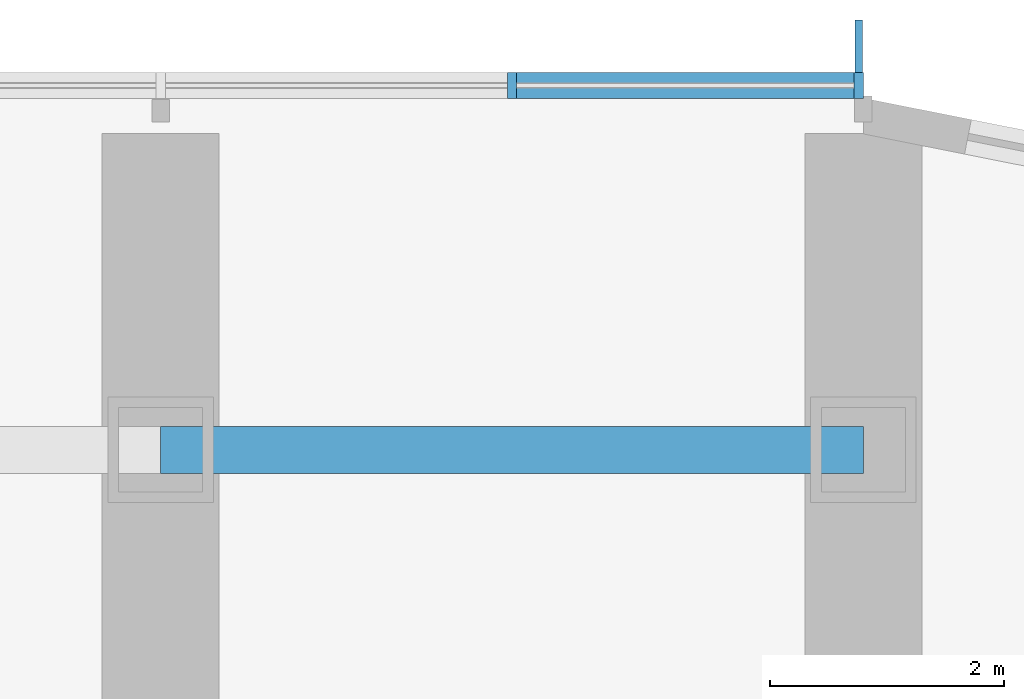
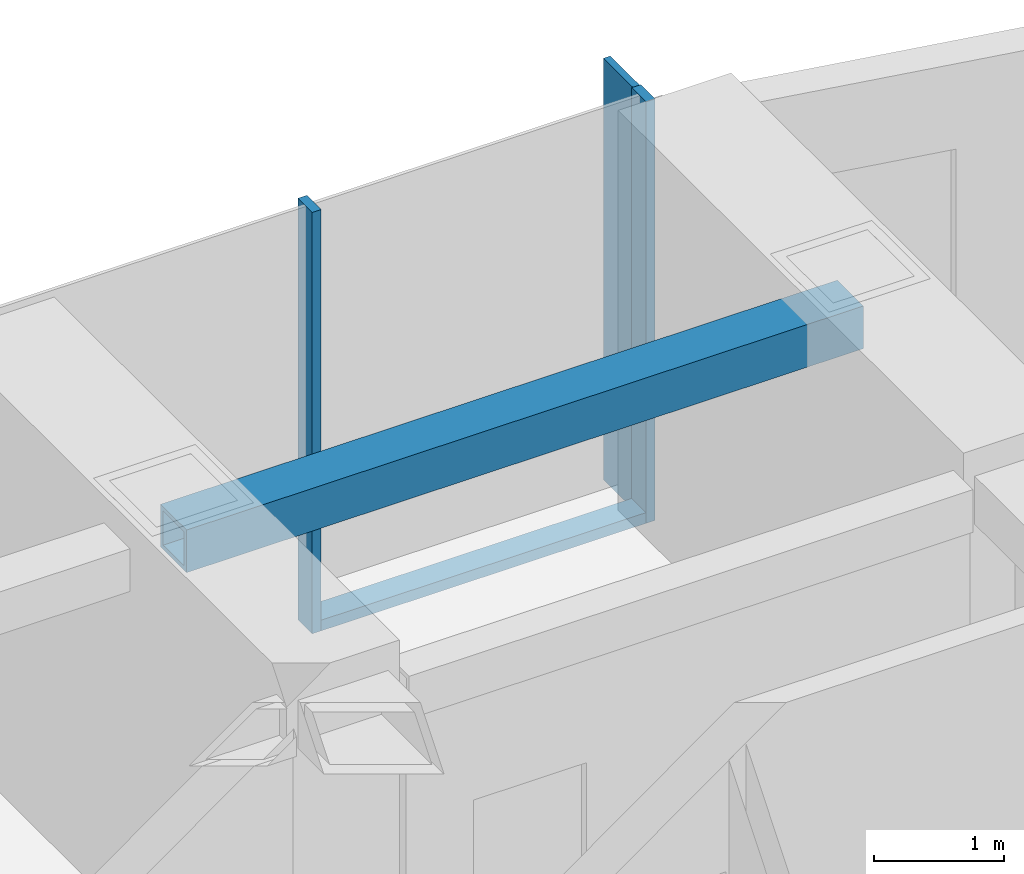
# One storey, part 9 of 26: 4 members, 1 beam, 1 element without a shape of its own.
"""IFC4 building model written with IfcOpenShell, lengths in metres."""

from ifc_helpers import new_model, si_unit, direction, frame, origin, origin_2d, place, context, subcontext, project, spatial, rectangle, hollow_rectangle, extrude, material, material_profile, profile_set, type_object, element, aggregate, save


model = new_model("IFC4")

# Units and contexts
model_context = context("Model", 3, precision=1e-05, world=origin(), true_north=direction((0.0, 1.0)))
body_context = subcontext(model_context, "Body", "Model", "MODEL_VIEW")
ifc_project = project(units=[si_unit("LENGTHUNIT", "METRE"), si_unit("AREAUNIT", "SQUARE_METRE"), si_unit("VOLUMEUNIT", "CUBIC_METRE"), si_unit("PLANEANGLEUNIT", "RADIAN"), si_unit("MASSUNIT", "GRAM", prefix="KILO")], contexts=[model_context])

# Site, building, storey
site_placement = place(None, origin())
site = spatial("IfcSite", under=ifc_project, at=site_placement, CompositionType="ELEMENT")
building_placement = place(site_placement, origin())
building = spatial("IfcBuilding", under=site, at=building_placement, Name="Orbita Commons", CompositionType="ELEMENT")
storey_placement = place(building_placement, frame((0.0, 0.0, 53.949951171875)))
storey = spatial("IfcBuildingStorey", under=building, at=storey_placement, Name="L13", CompositionType="ELEMENT", Elevation=53.949951171875)

# Curtain wall, members
ifc_material_1 = material(Name="Anodised aluminium frame, pale silver", Category="aluminium")
curtain_wall_type = type_object("IfcCurtainWallType", Name="Unitised curtain wall CW-T, vision and spandrel", PredefinedType="NOTDEFINED", material=ifc_material_1)
curtain_wall_placement = place(storey_placement, origin())
curtain_wall = element("IfcCurtainWall", 1, at=curtain_wall_placement, inside=storey, type_object=curtain_wall_type, Name="Curtain wall north L13", PredefinedType="NOTDEFINED")
ifc_material_2 = material(Name="Anodised aluminium, pale silver", Category="aluminium")
ifc_material_profile_1 = material_profile(ifc_material_2, rectangle(XDim=0.080078125, YDim=0.219970703125, at=origin_2d()), Name="AL 80x220")
ifc_profile_set_1 = profile_set([ifc_material_profile_1], Name="Anodised aluminium, pale silver")
member_type_1 = type_object("IfcMemberType", Name="Curtain wall mullion 80x220", PredefinedType="MULLION", material=ifc_profile_set_1)
member_1_placement = place(storey_placement, frame((71.9599609375, 56.7099609375, -0.449951171875), z_axis=(0.0, 0.0, 1.0), x_axis=(-1.0, 0.0, 0.0)))
member_1 = element("IfcMember", 2, at=member_1_placement, type_object=member_type_1, Name="Mullion 1 CW-L13-N", PredefinedType="MULLION", context=body_context, shape_type="SweptSolid", body=[
    extrude(rectangle(XDim=0.080078125, YDim=0.219970703125, at=origin_2d()), origin(), (0.0, 0.0, 1.0), 3.949951171875),
])
member_2_placement = place(storey_placement, frame((69.0, 56.7099609375, -0.449951171875), z_axis=(0.0, 0.0, 1.0), x_axis=(-1.0, 0.0, 0.0)))
member_2 = element("IfcMember", 3, at=member_2_placement, type_object=member_type_1, Name="Mullion 2 CW-L13-N", PredefinedType="MULLION", context=body_context, shape_type="SweptSolid", body=[
    extrude(rectangle(XDim=0.080078125, YDim=0.219970703125, at=origin_2d()), origin(), (0.0, 0.0, 1.0), 3.949951171875),
])
ifc_material_3 = material(Name="Anodised aluminium, pale silver", Category="aluminium")
ifc_material_profile_2 = material_profile(ifc_material_3, rectangle(XDim=0.219970703125, YDim=0.10009765625, at=origin_2d()), Name="AL 220x100")
ifc_profile_set_2 = profile_set([ifc_material_profile_2], Name="Anodised aluminium, pale silver")
member_type_2 = type_object("IfcMemberType", Name="Curtain wall stack transom 220x100", PredefinedType="USERDEFINED", material=ifc_profile_set_2)
member_3_placement = place(storey_placement, frame((71.919921875, 56.7099609375, -0.39990234375), z_axis=(-1.0, 0.0, 0.0), x_axis=(0.0, -1.0, 0.0)))
member_3 = element("IfcMember", 4, at=member_3_placement, type_object=member_type_2, Name="Transom 1.1 CW-L13-N", ObjectType="TRANSOM", PredefinedType="USERDEFINED", context=body_context, shape_type="SweptSolid", body=[
    extrude(rectangle(XDim=0.219970703125, YDim=0.10009765625, at=origin_2d()), origin(), (0.0, 0.0, 1.0), 2.8798828125),
])

# Beam
ifc_material_4 = material(Name="Steel ASTM A572 Gr 50 welded plate", Category="steel")
ifc_material_profile_3 = material_profile(ifc_material_4, hollow_rectangle(XDim=0.39990234375, YDim=0.39990234375, WallThickness=0.0400390625, at=origin_2d()), Name="BOX 400x400x40")
ifc_profile_set_3 = profile_set([ifc_material_profile_3], Name="Steel ASTM A572 Gr 50 welded plate")
beam_type = type_object("IfcBeamType", Name="Steel spandrel BOX 400x400x40", PredefinedType="SPANDREL", material=ifc_profile_set_3)
beam_placement = place(storey_placement, frame((66.0, 53.60009765625, 3.300048828125), z_axis=(1.0, 0.0, 0.0), x_axis=(0.0, 1.0, 0.0)))
element("IfcBeam", 5, at=beam_placement, inside=storey, type_object=beam_type, Name="Spandrel beam E 12-13 L13", PredefinedType="SPANDREL", context=body_context, shape_type="SweptSolid", body=[
    extrude(hollow_rectangle(XDim=0.39990234375, YDim=0.39990234375, WallThickness=0.0400390625, at=origin_2d()), origin(), (0.0, 0.0, 1.0), 6.0),
])

# Member
ifc_material_5 = material(Name="Anodised aluminium, pale silver", Category="aluminium")
ifc_material_profile_4 = material_profile(ifc_material_5, rectangle(XDim=0.06005859375, YDim=0.449951171875, at=origin_2d()), Name="FIN 60x450")
ifc_profile_set_4 = profile_set([ifc_material_profile_4], Name="Anodised aluminium, pale silver")
member_type_3 = type_object("IfcMemberType", Name="Vertical fin 60x450 pale aluminium", PredefinedType="USERDEFINED", material=ifc_profile_set_4)
member_4_placement = place(storey_placement, frame((71.9599609375, 57.044921875, -0.449951171875), z_axis=(0.0, 0.0, 1.0), x_axis=(-1.0, 0.0, 0.0)))
member_4 = element("IfcMember", 6, at=member_4_placement, type_object=member_type_3, Name="Fin 1 CW-L13-N", ObjectType="FIN", PredefinedType="USERDEFINED", context=body_context, shape_type="SweptSolid", body=[
    extrude(rectangle(XDim=0.06005859375, YDim=0.449951171875, at=origin_2d()), origin(), (0.0, 0.0, 1.0), 3.949951171875),
])

aggregate(curtain_wall, [member_1, member_4, member_2, member_3])

save(model, "model.ifc")
